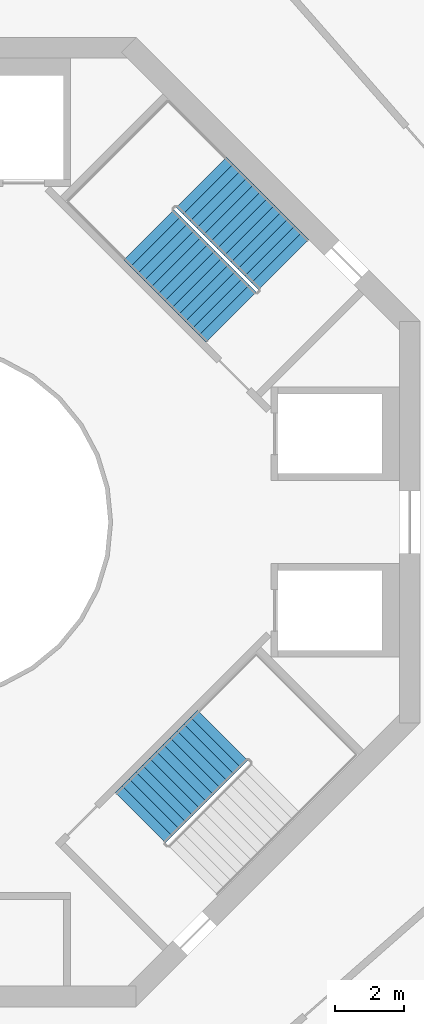
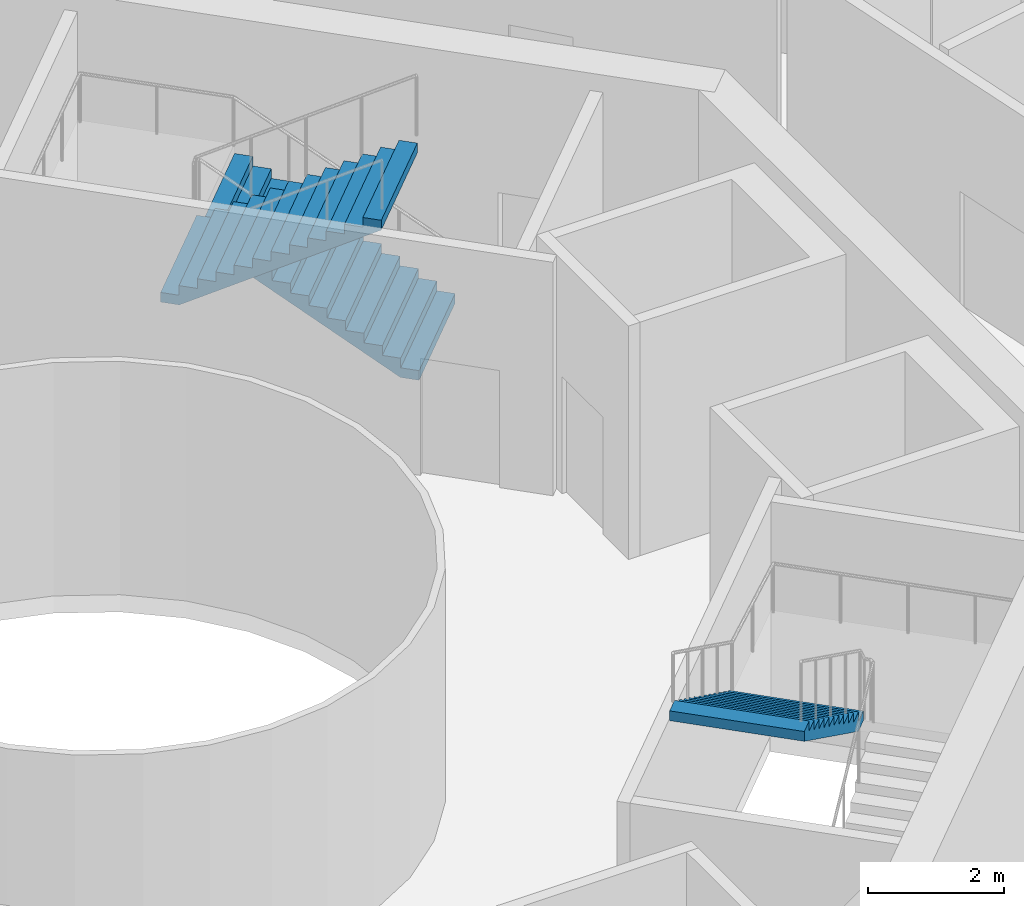
# One storey, part 16 of 17: 3 stair flights, 2 elements without a shape of their own.
"""IFC4 building model written with IfcOpenShell, lengths in metres."""

from ifc_helpers import new_model, si_unit, direction, frame, origin, place, context, subcontext, project, spatial, triangles, material, type_object, element, aggregate, save


model = new_model("IFC4")

# Units and contexts
model_context = context("Model", 3, precision=1e-05, world=origin(), true_north=direction((0.0, 1.0)))
body_context = subcontext(model_context, "Body", "Model", "MODEL_VIEW")
ifc_project = project(units=[si_unit("LENGTHUNIT", "METRE"), si_unit("AREAUNIT", "SQUARE_METRE"), si_unit("VOLUMEUNIT", "CUBIC_METRE"), si_unit("PLANEANGLEUNIT", "RADIAN"), si_unit("MASSUNIT", "GRAM", prefix="KILO")], contexts=[model_context])

# Site, building, storey
site_placement = place(None, origin())
site = spatial("IfcSite", under=ifc_project, at=site_placement, CompositionType="ELEMENT")
building_placement = place(site_placement, origin())
building = spatial("IfcBuilding", under=site, at=building_placement, Name="Verdalira Terraces Hotel", CompositionType="ELEMENT")
storey_placement = place(building_placement, frame((0.0, 0.0, 201.0)))
storey = spatial("IfcBuildingStorey", under=building, at=storey_placement, Name="L49", CompositionType="ELEMENT", Elevation=201.0)

# Stair, stair flights
ifc_material_1 = material(Name="Concrete C40", Category="concrete")
stair_type = type_object("IfcStairType", Name="Core stair 26 risers 2050 mm wide", PredefinedType="HALF_TURN_STAIR", material=ifc_material_1)
stair_1_placement = place(storey_placement, origin())
stair_1 = element("IfcStair", 1, at=stair_1_placement, inside=storey, type_object=stair_type, Name="L49 Exit stair ST1", PredefinedType="HALF_TURN_STAIR")
ifc_material_2 = material(Name="Concrete C40", Category="concrete")
stair_flight_type = type_object("IfcStairFlightType", Name="Core stair flight 26 risers 2050 mm wide", PredefinedType="STRAIGHT", material=ifc_material_2)
stair_flight_1_placement = place(storey_placement, frame((10.058594, 7.442383, 0.0), z_axis=(0.0, 0.0, 1.0), x_axis=(-0.707106781, 0.707106781, 0.0)))
stair_flight_1 = element("IfcStairFlight", 2, at=stair_flight_1_placement, type_object=stair_flight_type, Name="ST1 flight 1", NumberOfRisers=13, NumberOfTreads=12, PredefinedType="STRAIGHT", RiserHeight=0.173076923, TreadLength=0.28, context=body_context, shape_type="Tessellation", body=[
    triangles([(0.0, 1.025024, 0.0), (0.285156, 1.025024, 0.0), (3.360107, 1.025024, 1.900635), (0.0, -1.025024, 0.0), (0.285156, -1.025024, 0.0), (3.360107, -1.025024, 1.900635), (3.360107, 1.025024, 2.076904), (3.080078, 1.025024, 2.076904), (3.360107, -1.025024, 2.076904), (3.080078, -1.025024, 2.076904), (3.080078, 1.025024, 1.903809), (3.080078, -1.025024, 1.903809), (2.800049, 1.025024, 1.903809), (2.800049, -1.025024, 1.903809), (2.800049, 1.025024, 1.730713), (2.800049, -1.025024, 1.730713), (2.52002, 1.025024, 1.730713), (2.52002, 1.025024, 1.557617), (2.52002, -1.025024, 1.730713), (2.52002, -1.025024, 1.557617), (2.23999, 1.025024, 1.557617), (2.23999, 1.025024, 1.384521), (2.23999, -1.025024, 1.557617), (2.23999, -1.025024, 1.384521), (1.959961, 1.025024, 1.384521), (1.959961, 1.025024, 1.211426), (1.959961, -1.025024, 1.384521), (1.959961, -1.025024, 1.211426), (1.679932, 1.025024, 1.211426), (1.679932, 1.025024, 1.038574), (1.679932, -1.025024, 1.211426), (1.679932, -1.025024, 1.038574), (1.399902, 1.025024, 1.038574), (1.399902, 1.025024, 0.865479), (1.399902, -1.025024, 1.038574), (1.399902, -1.025024, 0.865479), (1.120117, 1.025024, 0.865479), (1.120117, 1.025024, 0.692383), (1.120117, -1.025024, 0.865479), (1.120117, -1.025024, 0.692383), (0.840088, 1.025024, 0.692383), (0.840088, 1.025024, 0.519287), (0.840088, -1.025024, 0.692383), (0.840088, -1.025024, 0.519287), (0.560059, 1.025024, 0.519287), (0.560059, 1.025024, 0.346191), (0.560059, -1.025024, 0.519287), (0.560059, -1.025024, 0.346191), (0.280029, 1.025024, 0.346191), (0.280029, 1.025024, 0.173096), (0.280029, -1.025024, 0.346191), (0.280029, -1.025024, 0.173096), (0.0, 1.025024, 0.173096), (0.0, -1.025024, 0.173096), (0.0, -0.96096, 0.0), (0.0, -0.96096, 0.173096), (0.0, -0.896896, 0.0), (0.0, -0.896896, 0.173096), (0.0, -0.832832, 0.0), (0.0, -0.832832, 0.173096), (0.0, -0.768768, 0.0), (0.0, -0.768768, 0.173096), (0.0, -0.704704, 0.0), (0.0, -0.704704, 0.173096), (0.0, -0.64064, 0.0), (0.0, -0.64064, 0.173096), (0.0, -0.576576, 0.0), (0.0, -0.576576, 0.173096), (0.0, -0.512512, 0.0), (0.0, -0.512512, 0.173096), (0.0, -0.448448, 0.0), (0.0, -0.448448, 0.173096), (0.0, -0.384384, 0.0), (0.0, -0.384384, 0.173096), (0.0, -0.32032, 0.0), (0.0, -0.32032, 0.173096), (0.0, -0.256256, 0.0), (0.0, -0.256256, 0.173096), (0.0, -0.192192, 0.0), (0.0, -0.192192, 0.173096), (0.0, -0.128128, 0.0), (0.0, -0.128128, 0.173096), (0.0, -0.064064, 0.0), (0.0, -0.064064, 0.173096), (0.0, 0.0, 0.0), (0.0, 0.0, 0.173096), (0.0, 0.064064, 0.0), (0.0, 0.064064, 0.173096), (0.0, 0.128128, 0.0), (0.0, 0.128128, 0.173096), (0.0, 0.192192, 0.0), (0.0, 0.192192, 0.173096), (0.0, 0.256256, 0.0), (0.0, 0.256256, 0.173096), (0.0, 0.32032, 0.0), (0.0, 0.32032, 0.173096), (0.0, 0.384384, 0.0), (0.0, 0.384384, 0.173096), (0.0, 0.448448, 0.0), (0.0, 0.448448, 0.173096), (0.0, 0.512512, 0.0), (0.0, 0.512512, 0.173096), (0.0, 0.576576, 0.0), (0.0, 0.576576, 0.173096), (0.0, 0.64064, 0.0), (0.0, 0.64064, 0.173096), (0.0, 0.704704, 0.0), (0.0, 0.704704, 0.173096), (0.0, 0.768768, 0.0), (0.0, 0.768768, 0.173096), (0.0, 0.832832, 0.0), (0.0, 0.832832, 0.173096), (0.0, 0.896896, 0.0), (0.0, 0.896896, 0.173096), (0.0, 0.96096, 0.0), (0.0, 0.96096, 0.173096), (3.360107, -0.96096, 2.076904), (3.360107, -0.896896, 2.076904), (3.360107, -0.832832, 2.076904), (3.360107, -0.768768, 2.076904), (3.360107, -0.704704, 2.076904), (3.360107, -0.64064, 2.076904), (3.360107, -0.576576, 2.076904), (3.360107, -0.512512, 2.076904), (3.360107, -0.448448, 2.076904), (3.360107, -0.384384, 2.076904), (3.360107, -0.32032, 2.076904), (3.360107, -0.256256, 2.076904), (3.360107, -0.192192, 2.076904), (3.360107, -0.128128, 2.076904), (3.360107, -0.064064, 2.076904), (3.360107, 0.0, 2.076904), (3.360107, 0.064064, 2.076904), (3.360107, 0.128128, 2.076904), (3.360107, 0.192192, 2.076904), (3.360107, 0.256256, 2.076904), (3.360107, 0.32032, 2.076904), (3.360107, 0.384384, 2.076904), (3.360107, 0.448448, 2.076904), (3.360107, 0.512512, 2.076904), (3.360107, 0.576576, 2.076904), (3.360107, 0.64064, 2.076904), (3.360107, 0.704704, 2.076904), (3.360107, 0.768768, 2.076904), (3.360107, 0.832832, 2.076904), (3.360107, 0.896896, 2.076904), (3.360107, 0.96096, 2.076904), (3.360107, -0.96096, 1.900635), (3.360107, -0.896896, 1.900635), (3.360107, -0.832832, 1.900635), (3.360107, -0.768768, 1.900635), (3.360107, -0.704704, 1.900635), (3.360107, -0.64064, 1.900635), (3.360107, -0.576576, 1.900635), (3.360107, -0.512512, 1.900635), (3.360107, -0.448448, 1.900635), (3.360107, -0.384384, 1.900635), (3.360107, -0.32032, 1.900635), (3.360107, -0.256256, 1.900635), (3.360107, -0.192192, 1.900635), (3.360107, -0.128128, 1.900635), (3.360107, -0.064064, 1.900635), (3.360107, 0.0, 1.900635), (3.360107, 0.064064, 1.900635), (3.360107, 0.128128, 1.900635), (3.360107, 0.192192, 1.900635), (3.360107, 0.256256, 1.900635), (3.360107, 0.32032, 1.900635), (3.360107, 0.384384, 1.900635), (3.360107, 0.448448, 1.900635), (3.360107, 0.512512, 1.900635), (3.360107, 0.576576, 1.900635), (3.360107, 0.64064, 1.900635), (3.360107, 0.704704, 1.900635), (3.360107, 0.768768, 1.900635), (3.360107, 0.832832, 1.900635), (3.360107, 0.896896, 1.900635), (3.360107, 0.96096, 1.900635)], [[1, 3, 2], [4, 5, 6], [3, 8, 7], [6, 9, 10], [3, 11, 8], [6, 10, 12], [3, 13, 11], [6, 12, 14], [3, 15, 13], [6, 14, 16], [15, 18, 17], [16, 19, 20], [3, 18, 15], [6, 16, 20], [18, 22, 21], [20, 23, 24], [3, 22, 18], [6, 20, 24], [22, 26, 25], [24, 27, 28], [3, 26, 22], [6, 24, 28], [1, 26, 3], [4, 6, 28], [26, 30, 29], [28, 31, 32], [30, 34, 33], [32, 35, 36], [26, 34, 30], [28, 32, 36], [34, 38, 37], [36, 39, 40], [26, 38, 34], [28, 36, 40], [38, 42, 41], [40, 43, 44], [26, 42, 38], [28, 40, 44], [42, 46, 45], [44, 47, 48], [26, 46, 42], [28, 44, 48], [46, 50, 49], [48, 51, 52], [26, 50, 46], [28, 48, 52], [1, 50, 26], [4, 28, 52], [50, 1, 53], [52, 54, 4], [4, 56, 55], [4, 54, 56], [55, 58, 57], [55, 56, 58], [57, 60, 59], [57, 58, 60], [59, 62, 61], [59, 60, 62], [61, 64, 63], [61, 62, 64], [63, 66, 65], [63, 64, 66], [65, 68, 67], [65, 66, 68], [67, 70, 69], [67, 68, 70], [69, 72, 71], [69, 70, 72], [71, 74, 73], [71, 72, 74], [73, 76, 75], [73, 74, 76], [75, 78, 77], [75, 76, 78], [77, 80, 79], [77, 78, 80], [79, 82, 81], [79, 80, 82], [81, 84, 83], [81, 82, 84], [83, 86, 85], [83, 84, 86], [85, 88, 87], [85, 86, 88], [87, 90, 89], [87, 88, 90], [89, 92, 91], [89, 90, 92], [91, 94, 93], [91, 92, 94], [93, 96, 95], [93, 94, 96], [95, 98, 97], [95, 96, 98], [97, 100, 99], [97, 98, 100], [99, 102, 101], [99, 100, 102], [101, 104, 103], [101, 102, 104], [103, 106, 105], [103, 104, 106], [105, 108, 107], [105, 106, 108], [107, 110, 109], [107, 108, 110], [109, 112, 111], [109, 110, 112], [111, 114, 113], [111, 112, 114], [113, 116, 115], [113, 114, 116], [115, 53, 1], [115, 116, 53], [54, 52, 56], [56, 52, 58], [58, 52, 60], [60, 52, 62], [62, 52, 64], [64, 52, 66], [66, 52, 68], [68, 52, 70], [70, 52, 72], [72, 52, 74], [74, 52, 76], [76, 52, 78], [78, 52, 80], [80, 52, 82], [82, 52, 84], [84, 52, 86], [86, 52, 88], [88, 52, 90], [90, 52, 92], [92, 52, 94], [94, 52, 96], [96, 52, 98], [98, 52, 100], [100, 52, 102], [102, 52, 104], [104, 52, 106], [106, 52, 108], [108, 52, 110], [110, 52, 112], [112, 52, 114], [114, 52, 116], [116, 52, 53], [53, 52, 50], [52, 49, 50], [52, 51, 49], [51, 46, 49], [51, 48, 46], [48, 45, 46], [48, 47, 45], [47, 42, 45], [47, 44, 42], [44, 41, 42], [44, 43, 41], [43, 38, 41], [43, 40, 38], [40, 37, 38], [40, 39, 37], [39, 34, 37], [39, 36, 34], [36, 33, 34], [36, 35, 33], [35, 30, 33], [35, 32, 30], [32, 29, 30], [32, 31, 29], [31, 26, 29], [31, 28, 26], [28, 25, 26], [28, 27, 25], [27, 22, 25], [27, 24, 22], [24, 21, 22], [24, 23, 21], [23, 18, 21], [23, 20, 18], [20, 17, 18], [20, 19, 17], [19, 15, 17], [19, 16, 15], [16, 13, 15], [16, 14, 13], [14, 11, 13], [14, 12, 11], [12, 8, 11], [12, 10, 8], [9, 117, 10], [117, 118, 10], [118, 119, 10], [119, 120, 10], [120, 121, 10], [121, 122, 10], [122, 123, 10], [123, 124, 10], [124, 125, 10], [125, 126, 10], [126, 127, 10], [127, 128, 10], [128, 129, 10], [129, 130, 10], [130, 131, 10], [131, 132, 10], [132, 133, 10], [133, 134, 10], [134, 135, 10], [135, 136, 10], [136, 137, 10], [137, 138, 10], [138, 139, 10], [139, 140, 10], [140, 141, 10], [141, 142, 10], [142, 143, 10], [143, 144, 10], [144, 145, 10], [145, 146, 10], [146, 147, 10], [147, 7, 10], [7, 8, 10], [9, 148, 117], [9, 6, 148], [117, 149, 118], [117, 148, 149], [118, 150, 119], [118, 149, 150], [119, 151, 120], [119, 150, 151], [120, 152, 121], [120, 151, 152], [121, 153, 122], [121, 152, 153], [122, 154, 123], [122, 153, 154], [123, 155, 124], [123, 154, 155], [124, 156, 125], [124, 155, 156], [125, 157, 126], [125, 156, 157], [126, 158, 127], [126, 157, 158], [127, 159, 128], [127, 158, 159], [128, 160, 129], [128, 159, 160], [129, 161, 130], [129, 160, 161], [130, 162, 131], [130, 161, 162], [131, 163, 132], [131, 162, 163], [132, 164, 133], [132, 163, 164], [133, 165, 134], [133, 164, 165], [134, 166, 135], [134, 165, 166], [135, 167, 136], [135, 166, 167], [136, 168, 137], [136, 167, 168], [137, 169, 138], [137, 168, 169], [138, 170, 139], [138, 169, 170], [139, 171, 140], [139, 170, 171], [140, 172, 141], [140, 171, 172], [141, 173, 142], [141, 172, 173], [142, 174, 143], [142, 173, 174], [143, 175, 144], [143, 174, 175], [144, 176, 145], [144, 175, 176], [145, 177, 146], [145, 176, 177], [146, 178, 147], [146, 177, 178], [147, 3, 7], [147, 178, 3], [6, 5, 148], [148, 5, 149], [149, 5, 150], [150, 5, 151], [151, 5, 152], [152, 5, 153], [153, 5, 154], [154, 5, 155], [155, 5, 156], [156, 5, 157], [157, 5, 158], [158, 5, 159], [159, 5, 160], [160, 5, 161], [161, 5, 162], [162, 5, 163], [163, 5, 164], [164, 5, 165], [165, 5, 166], [166, 5, 167], [167, 5, 168], [168, 5, 169], [169, 5, 170], [170, 5, 171], [171, 5, 172], [172, 5, 173], [173, 5, 174], [174, 5, 175], [175, 5, 176], [176, 5, 177], [177, 5, 178], [178, 5, 3], [3, 5, 2], [4, 55, 5], [55, 57, 5], [57, 59, 5], [59, 61, 5], [61, 63, 5], [63, 65, 5], [65, 67, 5], [67, 69, 5], [69, 71, 5], [71, 73, 5], [73, 75, 5], [75, 77, 5], [77, 79, 5], [79, 81, 5], [81, 83, 5], [83, 85, 5], [85, 87, 5], [87, 89, 5], [89, 91, 5], [91, 93, 5], [93, 95, 5], [95, 97, 5], [97, 99, 5], [99, 101, 5], [101, 103, 5], [103, 105, 5], [105, 107, 5], [107, 109, 5], [109, 111, 5], [111, 113, 5], [113, 115, 5], [115, 1, 5], [1, 2, 5]], closed=True),
])
stair_flight_2_placement = place(storey_placement, frame((6.162354, 8.297852, 2.25), z_axis=(0.0, 0.0, 1.0), x_axis=(0.707106781, -0.707106781, 0.0)))
stair_flight_2 = element("IfcStairFlight", 3, at=stair_flight_2_placement, type_object=stair_flight_type, Name="ST1 flight 2", NumberOfRisers=13, NumberOfTreads=12, PredefinedType="STRAIGHT", RiserHeight=0.173076923, TreadLength=0.28, context=body_context, shape_type="Tessellation", body=[
    triangles([(0.0, 1.025024, 0.0), (0.285156, 1.025024, 0.0), (3.360107, 1.025024, 1.900635), (0.0, -1.025024, 0.0), (0.285156, -1.025024, 0.0), (3.360107, -1.025024, 1.900635), (3.360107, 1.025024, 2.076904), (3.080078, 1.025024, 2.076904), (3.360107, -1.025024, 2.076904), (3.080078, -1.025024, 2.076904), (3.080078, 1.025024, 1.903809), (3.080078, -1.025024, 1.903809), (2.800049, 1.025024, 1.903809), (2.800049, -1.025024, 1.903809), (2.800049, 1.025024, 1.730713), (2.800049, -1.025024, 1.730713), (2.52002, 1.025024, 1.730713), (2.52002, 1.025024, 1.557617), (2.52002, -1.025024, 1.730713), (2.52002, -1.025024, 1.557617), (2.23999, 1.025024, 1.557617), (2.23999, 1.025024, 1.384521), (2.23999, -1.025024, 1.557617), (2.23999, -1.025024, 1.384521), (1.959961, 1.025024, 1.384521), (1.959961, 1.025024, 1.211426), (1.959961, -1.025024, 1.384521), (1.959961, -1.025024, 1.211426), (1.679932, 1.025024, 1.211426), (1.679932, 1.025024, 1.038574), (1.679932, -1.025024, 1.211426), (1.679932, -1.025024, 1.038574), (1.399902, 1.025024, 1.038574), (1.399902, 1.025024, 0.865479), (1.399902, -1.025024, 1.038574), (1.399902, -1.025024, 0.865479), (1.120117, 1.025024, 0.865479), (1.120117, 1.025024, 0.692383), (1.120117, -1.025024, 0.865479), (1.120117, -1.025024, 0.692383), (0.840088, 1.025024, 0.692383), (0.840088, 1.025024, 0.519287), (0.840088, -1.025024, 0.692383), (0.840088, -1.025024, 0.519287), (0.560059, 1.025024, 0.519287), (0.560059, 1.025024, 0.346191), (0.560059, -1.025024, 0.519287), (0.560059, -1.025024, 0.346191), (0.280029, 1.025024, 0.346191), (0.280029, 1.025024, 0.173096), (0.280029, -1.025024, 0.346191), (0.280029, -1.025024, 0.173096), (0.0, 1.025024, 0.173096), (0.0, -1.025024, 0.173096), (0.0, -0.96096, 0.0), (0.0, -0.96096, 0.173096), (0.0, -0.896896, 0.0), (0.0, -0.896896, 0.173096), (0.0, -0.832832, 0.0), (0.0, -0.832832, 0.173096), (0.0, -0.768768, 0.0), (0.0, -0.768768, 0.173096), (0.0, -0.704704, 0.0), (0.0, -0.704704, 0.173096), (0.0, -0.64064, 0.0), (0.0, -0.64064, 0.173096), (0.0, -0.576576, 0.0), (0.0, -0.576576, 0.173096), (0.0, -0.512512, 0.0), (0.0, -0.512512, 0.173096), (0.0, -0.448448, 0.0), (0.0, -0.448448, 0.173096), (0.0, -0.384384, 0.0), (0.0, -0.384384, 0.173096), (0.0, -0.32032, 0.0), (0.0, -0.32032, 0.173096), (0.0, -0.256256, 0.0), (0.0, -0.256256, 0.173096), (0.0, -0.192192, 0.0), (0.0, -0.192192, 0.173096), (0.0, -0.128128, 0.0), (0.0, -0.128128, 0.173096), (0.0, -0.064064, 0.0), (0.0, -0.064064, 0.173096), (0.0, 0.0, 0.0), (0.0, 0.0, 0.173096), (0.0, 0.064064, 0.0), (0.0, 0.064064, 0.173096), (0.0, 0.128128, 0.0), (0.0, 0.128128, 0.173096), (0.0, 0.192192, 0.0), (0.0, 0.192192, 0.173096), (0.0, 0.256256, 0.0), (0.0, 0.256256, 0.173096), (0.0, 0.32032, 0.0), (0.0, 0.32032, 0.173096), (0.0, 0.384384, 0.0), (0.0, 0.384384, 0.173096), (0.0, 0.448448, 0.0), (0.0, 0.448448, 0.173096), (0.0, 0.512512, 0.0), (0.0, 0.512512, 0.173096), (0.0, 0.576576, 0.0), (0.0, 0.576576, 0.173096), (0.0, 0.64064, 0.0), (0.0, 0.64064, 0.173096), (0.0, 0.704704, 0.0), (0.0, 0.704704, 0.173096), (0.0, 0.768768, 0.0), (0.0, 0.768768, 0.173096), (0.0, 0.832832, 0.0), (0.0, 0.832832, 0.173096), (0.0, 0.896896, 0.0), (0.0, 0.896896, 0.173096), (0.0, 0.96096, 0.0), (0.0, 0.96096, 0.173096), (3.360107, -0.96096, 2.076904), (3.360107, -0.896896, 2.076904), (3.360107, -0.832832, 2.076904), (3.360107, -0.768768, 2.076904), (3.360107, -0.704704, 2.076904), (3.360107, -0.64064, 2.076904), (3.360107, -0.576576, 2.076904), (3.360107, -0.512512, 2.076904), (3.360107, -0.448448, 2.076904), (3.360107, -0.384384, 2.076904), (3.360107, -0.32032, 2.076904), (3.360107, -0.256256, 2.076904), (3.360107, -0.192192, 2.076904), (3.360107, -0.128128, 2.076904), (3.360107, -0.064064, 2.076904), (3.360107, 0.0, 2.076904), (3.360107, 0.064064, 2.076904), (3.360107, 0.128128, 2.076904), (3.360107, 0.192192, 2.076904), (3.360107, 0.256256, 2.076904), (3.360107, 0.32032, 2.076904), (3.360107, 0.384384, 2.076904), (3.360107, 0.448448, 2.076904), (3.360107, 0.512512, 2.076904), (3.360107, 0.576576, 2.076904), (3.360107, 0.64064, 2.076904), (3.360107, 0.704704, 2.076904), (3.360107, 0.768768, 2.076904), (3.360107, 0.832832, 2.076904), (3.360107, 0.896896, 2.076904), (3.360107, 0.96096, 2.076904), (3.360107, -0.96096, 1.900635), (3.360107, -0.896896, 1.900635), (3.360107, -0.832832, 1.900635), (3.360107, -0.768768, 1.900635), (3.360107, -0.704704, 1.900635), (3.360107, -0.64064, 1.900635), (3.360107, -0.576576, 1.900635), (3.360107, -0.512512, 1.900635), (3.360107, -0.448448, 1.900635), (3.360107, -0.384384, 1.900635), (3.360107, -0.32032, 1.900635), (3.360107, -0.256256, 1.900635), (3.360107, -0.192192, 1.900635), (3.360107, -0.128128, 1.900635), (3.360107, -0.064064, 1.900635), (3.360107, 0.0, 1.900635), (3.360107, 0.064064, 1.900635), (3.360107, 0.128128, 1.900635), (3.360107, 0.192192, 1.900635), (3.360107, 0.256256, 1.900635), (3.360107, 0.32032, 1.900635), (3.360107, 0.384384, 1.900635), (3.360107, 0.448448, 1.900635), (3.360107, 0.512512, 1.900635), (3.360107, 0.576576, 1.900635), (3.360107, 0.64064, 1.900635), (3.360107, 0.704704, 1.900635), (3.360107, 0.768768, 1.900635), (3.360107, 0.832832, 1.900635), (3.360107, 0.896896, 1.900635), (3.360107, 0.96096, 1.900635)], [[1, 3, 2], [4, 5, 6], [3, 8, 7], [6, 9, 10], [3, 11, 8], [6, 10, 12], [3, 13, 11], [6, 12, 14], [3, 15, 13], [6, 14, 16], [15, 18, 17], [16, 19, 20], [3, 18, 15], [6, 16, 20], [18, 22, 21], [20, 23, 24], [3, 22, 18], [6, 20, 24], [22, 26, 25], [24, 27, 28], [3, 26, 22], [6, 24, 28], [1, 26, 3], [4, 6, 28], [26, 30, 29], [28, 31, 32], [30, 34, 33], [32, 35, 36], [26, 34, 30], [28, 32, 36], [34, 38, 37], [36, 39, 40], [26, 38, 34], [28, 36, 40], [38, 42, 41], [40, 43, 44], [26, 42, 38], [28, 40, 44], [42, 46, 45], [44, 47, 48], [26, 46, 42], [28, 44, 48], [46, 50, 49], [48, 51, 52], [26, 50, 46], [28, 48, 52], [1, 50, 26], [4, 28, 52], [50, 1, 53], [52, 54, 4], [4, 56, 55], [4, 54, 56], [55, 58, 57], [55, 56, 58], [57, 60, 59], [57, 58, 60], [59, 62, 61], [59, 60, 62], [61, 64, 63], [61, 62, 64], [63, 66, 65], [63, 64, 66], [65, 68, 67], [65, 66, 68], [67, 70, 69], [67, 68, 70], [69, 72, 71], [69, 70, 72], [71, 74, 73], [71, 72, 74], [73, 76, 75], [73, 74, 76], [75, 78, 77], [75, 76, 78], [77, 80, 79], [77, 78, 80], [79, 82, 81], [79, 80, 82], [81, 84, 83], [81, 82, 84], [83, 86, 85], [83, 84, 86], [85, 88, 87], [85, 86, 88], [87, 90, 89], [87, 88, 90], [89, 92, 91], [89, 90, 92], [91, 94, 93], [91, 92, 94], [93, 96, 95], [93, 94, 96], [95, 98, 97], [95, 96, 98], [97, 100, 99], [97, 98, 100], [99, 102, 101], [99, 100, 102], [101, 104, 103], [101, 102, 104], [103, 106, 105], [103, 104, 106], [105, 108, 107], [105, 106, 108], [107, 110, 109], [107, 108, 110], [109, 112, 111], [109, 110, 112], [111, 114, 113], [111, 112, 114], [113, 116, 115], [113, 114, 116], [115, 53, 1], [115, 116, 53], [54, 52, 56], [56, 52, 58], [58, 52, 60], [60, 52, 62], [62, 52, 64], [64, 52, 66], [66, 52, 68], [68, 52, 70], [70, 52, 72], [72, 52, 74], [74, 52, 76], [76, 52, 78], [78, 52, 80], [80, 52, 82], [82, 52, 84], [84, 52, 86], [86, 52, 88], [88, 52, 90], [90, 52, 92], [92, 52, 94], [94, 52, 96], [96, 52, 98], [98, 52, 100], [100, 52, 102], [102, 52, 104], [104, 52, 106], [106, 52, 108], [108, 52, 110], [110, 52, 112], [112, 52, 114], [114, 52, 116], [116, 52, 53], [53, 52, 50], [52, 49, 50], [52, 51, 49], [51, 46, 49], [51, 48, 46], [48, 45, 46], [48, 47, 45], [47, 42, 45], [47, 44, 42], [44, 41, 42], [44, 43, 41], [43, 38, 41], [43, 40, 38], [40, 37, 38], [40, 39, 37], [39, 34, 37], [39, 36, 34], [36, 33, 34], [36, 35, 33], [35, 30, 33], [35, 32, 30], [32, 29, 30], [32, 31, 29], [31, 26, 29], [31, 28, 26], [28, 25, 26], [28, 27, 25], [27, 22, 25], [27, 24, 22], [24, 21, 22], [24, 23, 21], [23, 18, 21], [23, 20, 18], [20, 17, 18], [20, 19, 17], [19, 15, 17], [19, 16, 15], [16, 13, 15], [16, 14, 13], [14, 11, 13], [14, 12, 11], [12, 8, 11], [12, 10, 8], [9, 117, 10], [117, 118, 10], [118, 119, 10], [119, 120, 10], [120, 121, 10], [121, 122, 10], [122, 123, 10], [123, 124, 10], [124, 125, 10], [125, 126, 10], [126, 127, 10], [127, 128, 10], [128, 129, 10], [129, 130, 10], [130, 131, 10], [131, 132, 10], [132, 133, 10], [133, 134, 10], [134, 135, 10], [135, 136, 10], [136, 137, 10], [137, 138, 10], [138, 139, 10], [139, 140, 10], [140, 141, 10], [141, 142, 10], [142, 143, 10], [143, 144, 10], [144, 145, 10], [145, 146, 10], [146, 147, 10], [147, 7, 10], [7, 8, 10], [9, 148, 117], [9, 6, 148], [117, 149, 118], [117, 148, 149], [118, 150, 119], [118, 149, 150], [119, 151, 120], [119, 150, 151], [120, 152, 121], [120, 151, 152], [121, 153, 122], [121, 152, 153], [122, 154, 123], [122, 153, 154], [123, 155, 124], [123, 154, 155], [124, 156, 125], [124, 155, 156], [125, 157, 126], [125, 156, 157], [126, 158, 127], [126, 157, 158], [127, 159, 128], [127, 158, 159], [128, 160, 129], [128, 159, 160], [129, 161, 130], [129, 160, 161], [130, 162, 131], [130, 161, 162], [131, 163, 132], [131, 162, 163], [132, 164, 133], [132, 163, 164], [133, 165, 134], [133, 164, 165], [134, 166, 135], [134, 165, 166], [135, 167, 136], [135, 166, 167], [136, 168, 137], [136, 167, 168], [137, 169, 138], [137, 168, 169], [138, 170, 139], [138, 169, 170], [139, 171, 140], [139, 170, 171], [140, 172, 141], [140, 171, 172], [141, 173, 142], [141, 172, 173], [142, 174, 143], [142, 173, 174], [143, 175, 144], [143, 174, 175], [144, 176, 145], [144, 175, 176], [145, 177, 146], [145, 176, 177], [146, 178, 147], [146, 177, 178], [147, 3, 7], [147, 178, 3], [6, 5, 148], [148, 5, 149], [149, 5, 150], [150, 5, 151], [151, 5, 152], [152, 5, 153], [153, 5, 154], [154, 5, 155], [155, 5, 156], [156, 5, 157], [157, 5, 158], [158, 5, 159], [159, 5, 160], [160, 5, 161], [161, 5, 162], [162, 5, 163], [163, 5, 164], [164, 5, 165], [165, 5, 166], [166, 5, 167], [167, 5, 168], [168, 5, 169], [169, 5, 170], [170, 5, 171], [171, 5, 172], [172, 5, 173], [173, 5, 174], [174, 5, 175], [175, 5, 176], [176, 5, 177], [177, 5, 178], [178, 5, 3], [3, 5, 2], [4, 55, 5], [55, 57, 5], [57, 59, 5], [59, 61, 5], [61, 63, 5], [63, 65, 5], [65, 67, 5], [67, 69, 5], [69, 71, 5], [71, 73, 5], [73, 75, 5], [75, 77, 5], [77, 79, 5], [79, 81, 5], [81, 83, 5], [83, 85, 5], [85, 87, 5], [87, 89, 5], [89, 91, 5], [91, 93, 5], [93, 95, 5], [95, 97, 5], [97, 99, 5], [99, 101, 5], [101, 103, 5], [103, 105, 5], [105, 107, 5], [107, 109, 5], [109, 111, 5], [111, 113, 5], [113, 115, 5], [115, 1, 5], [1, 2, 5]], closed=True),
])
aggregate(stair_1, [stair_flight_1, stair_flight_2])

# Stair, stair flight
stair_2_placement = place(storey_placement, origin())
stair_2 = element("IfcStair", 4, at=stair_2_placement, inside=storey, type_object=stair_type, Name="L49 Exit stair ST3", PredefinedType="HALF_TURN_STAIR")
stair_flight_3_placement = place(storey_placement, frame((8.297852, -6.162354, 2.25), z_axis=(0.0, 0.0, 1.0), x_axis=(-0.707106781, -0.707106781, 0.0)))
stair_flight_3 = element("IfcStairFlight", 5, at=stair_flight_3_placement, type_object=stair_flight_type, Name="ST3 flight 2", NumberOfRisers=13, NumberOfTreads=12, PredefinedType="STRAIGHT", RiserHeight=0.173076923, TreadLength=0.28, context=body_context, shape_type="Tessellation", body=[
    triangles([(0.0, 1.025024, 0.0), (0.285156, 1.025024, 0.0), (3.360107, 1.025024, 1.900635), (0.0, -1.025024, 0.0), (0.285156, -1.025024, 0.0), (3.360107, -1.025024, 1.900635), (3.360107, 1.025024, 2.076904), (3.080078, 1.025024, 2.076904), (3.360107, -1.025024, 2.076904), (3.080078, -1.025024, 2.076904), (3.080078, 1.025024, 1.903809), (3.080078, -1.025024, 1.903809), (2.800049, 1.025024, 1.903809), (2.800049, -1.025024, 1.903809), (2.800049, 1.025024, 1.730713), (2.800049, -1.025024, 1.730713), (2.52002, 1.025024, 1.730713), (2.52002, 1.025024, 1.557617), (2.52002, -1.025024, 1.730713), (2.52002, -1.025024, 1.557617), (2.23999, 1.025024, 1.557617), (2.23999, 1.025024, 1.384521), (2.23999, -1.025024, 1.557617), (2.23999, -1.025024, 1.384521), (1.959961, 1.025024, 1.384521), (1.959961, 1.025024, 1.211426), (1.959961, -1.025024, 1.384521), (1.959961, -1.025024, 1.211426), (1.679932, 1.025024, 1.211426), (1.679932, 1.025024, 1.038574), (1.679932, -1.025024, 1.211426), (1.679932, -1.025024, 1.038574), (1.399902, 1.025024, 1.038574), (1.399902, 1.025024, 0.865479), (1.399902, -1.025024, 1.038574), (1.399902, -1.025024, 0.865479), (1.120117, 1.025024, 0.865479), (1.120117, 1.025024, 0.692383), (1.120117, -1.025024, 0.865479), (1.120117, -1.025024, 0.692383), (0.840088, 1.025024, 0.692383), (0.840088, 1.025024, 0.519287), (0.840088, -1.025024, 0.692383), (0.840088, -1.025024, 0.519287), (0.560059, 1.025024, 0.519287), (0.560059, 1.025024, 0.346191), (0.560059, -1.025024, 0.519287), (0.560059, -1.025024, 0.346191), (0.280029, 1.025024, 0.346191), (0.280029, 1.025024, 0.173096), (0.280029, -1.025024, 0.346191), (0.280029, -1.025024, 0.173096), (0.0, 1.025024, 0.173096), (0.0, -1.025024, 0.173096), (0.0, -0.96096, 0.0), (0.0, -0.96096, 0.173096), (0.0, -0.896896, 0.0), (0.0, -0.896896, 0.173096), (0.0, -0.832832, 0.0), (0.0, -0.832832, 0.173096), (0.0, -0.768768, 0.0), (0.0, -0.768768, 0.173096), (0.0, -0.704704, 0.0), (0.0, -0.704704, 0.173096), (0.0, -0.64064, 0.0), (0.0, -0.64064, 0.173096), (0.0, -0.576576, 0.0), (0.0, -0.576576, 0.173096), (0.0, -0.512512, 0.0), (0.0, -0.512512, 0.173096), (0.0, -0.448448, 0.0), (0.0, -0.448448, 0.173096), (0.0, -0.384384, 0.0), (0.0, -0.384384, 0.173096), (0.0, -0.32032, 0.0), (0.0, -0.32032, 0.173096), (0.0, -0.256256, 0.0), (0.0, -0.256256, 0.173096), (0.0, -0.192192, 0.0), (0.0, -0.192192, 0.173096), (0.0, -0.128128, 0.0), (0.0, -0.128128, 0.173096), (0.0, -0.064064, 0.0), (0.0, -0.064064, 0.173096), (0.0, 0.0, 0.0), (0.0, 0.0, 0.173096), (0.0, 0.064064, 0.0), (0.0, 0.064064, 0.173096), (0.0, 0.128128, 0.0), (0.0, 0.128128, 0.173096), (0.0, 0.192192, 0.0), (0.0, 0.192192, 0.173096), (0.0, 0.256256, 0.0), (0.0, 0.256256, 0.173096), (0.0, 0.32032, 0.0), (0.0, 0.32032, 0.173096), (0.0, 0.384384, 0.0), (0.0, 0.384384, 0.173096), (0.0, 0.448448, 0.0), (0.0, 0.448448, 0.173096), (0.0, 0.512512, 0.0), (0.0, 0.512512, 0.173096), (0.0, 0.576576, 0.0), (0.0, 0.576576, 0.173096), (0.0, 0.64064, 0.0), (0.0, 0.64064, 0.173096), (0.0, 0.704704, 0.0), (0.0, 0.704704, 0.173096), (0.0, 0.768768, 0.0), (0.0, 0.768768, 0.173096), (0.0, 0.832832, 0.0), (0.0, 0.832832, 0.173096), (0.0, 0.896896, 0.0), (0.0, 0.896896, 0.173096), (0.0, 0.96096, 0.0), (0.0, 0.96096, 0.173096), (3.360107, -0.96096, 2.076904), (3.360107, -0.896896, 2.076904), (3.360107, -0.832832, 2.076904), (3.360107, -0.768768, 2.076904), (3.360107, -0.704704, 2.076904), (3.360107, -0.64064, 2.076904), (3.360107, -0.576576, 2.076904), (3.360107, -0.512512, 2.076904), (3.360107, -0.448448, 2.076904), (3.360107, -0.384384, 2.076904), (3.360107, -0.32032, 2.076904), (3.360107, -0.256256, 2.076904), (3.360107, -0.192192, 2.076904), (3.360107, -0.128128, 2.076904), (3.360107, -0.064064, 2.076904), (3.360107, 0.0, 2.076904), (3.360107, 0.064064, 2.076904), (3.360107, 0.128128, 2.076904), (3.360107, 0.192192, 2.076904), (3.360107, 0.256256, 2.076904), (3.360107, 0.32032, 2.076904), (3.360107, 0.384384, 2.076904), (3.360107, 0.448448, 2.076904), (3.360107, 0.512512, 2.076904), (3.360107, 0.576576, 2.076904), (3.360107, 0.64064, 2.076904), (3.360107, 0.704704, 2.076904), (3.360107, 0.768768, 2.076904), (3.360107, 0.832832, 2.076904), (3.360107, 0.896896, 2.076904), (3.360107, 0.96096, 2.076904), (3.360107, -0.96096, 1.900635), (3.360107, -0.896896, 1.900635), (3.360107, -0.832832, 1.900635), (3.360107, -0.768768, 1.900635), (3.360107, -0.704704, 1.900635), (3.360107, -0.64064, 1.900635), (3.360107, -0.576576, 1.900635), (3.360107, -0.512512, 1.900635), (3.360107, -0.448448, 1.900635), (3.360107, -0.384384, 1.900635), (3.360107, -0.32032, 1.900635), (3.360107, -0.256256, 1.900635), (3.360107, -0.192192, 1.900635), (3.360107, -0.128128, 1.900635), (3.360107, -0.064064, 1.900635), (3.360107, 0.0, 1.900635), (3.360107, 0.064064, 1.900635), (3.360107, 0.128128, 1.900635), (3.360107, 0.192192, 1.900635), (3.360107, 0.256256, 1.900635), (3.360107, 0.32032, 1.900635), (3.360107, 0.384384, 1.900635), (3.360107, 0.448448, 1.900635), (3.360107, 0.512512, 1.900635), (3.360107, 0.576576, 1.900635), (3.360107, 0.64064, 1.900635), (3.360107, 0.704704, 1.900635), (3.360107, 0.768768, 1.900635), (3.360107, 0.832832, 1.900635), (3.360107, 0.896896, 1.900635), (3.360107, 0.96096, 1.900635)], [[1, 3, 2], [4, 5, 6], [3, 8, 7], [6, 9, 10], [3, 11, 8], [6, 10, 12], [3, 13, 11], [6, 12, 14], [3, 15, 13], [6, 14, 16], [15, 18, 17], [16, 19, 20], [3, 18, 15], [6, 16, 20], [18, 22, 21], [20, 23, 24], [3, 22, 18], [6, 20, 24], [22, 26, 25], [24, 27, 28], [3, 26, 22], [6, 24, 28], [1, 26, 3], [4, 6, 28], [26, 30, 29], [28, 31, 32], [30, 34, 33], [32, 35, 36], [26, 34, 30], [28, 32, 36], [34, 38, 37], [36, 39, 40], [26, 38, 34], [28, 36, 40], [38, 42, 41], [40, 43, 44], [26, 42, 38], [28, 40, 44], [42, 46, 45], [44, 47, 48], [26, 46, 42], [28, 44, 48], [46, 50, 49], [48, 51, 52], [26, 50, 46], [28, 48, 52], [1, 50, 26], [4, 28, 52], [50, 1, 53], [52, 54, 4], [4, 56, 55], [4, 54, 56], [55, 58, 57], [55, 56, 58], [57, 60, 59], [57, 58, 60], [59, 62, 61], [59, 60, 62], [61, 64, 63], [61, 62, 64], [63, 66, 65], [63, 64, 66], [65, 68, 67], [65, 66, 68], [67, 70, 69], [67, 68, 70], [69, 72, 71], [69, 70, 72], [71, 74, 73], [71, 72, 74], [73, 76, 75], [73, 74, 76], [75, 78, 77], [75, 76, 78], [77, 80, 79], [77, 78, 80], [79, 82, 81], [79, 80, 82], [81, 84, 83], [81, 82, 84], [83, 86, 85], [83, 84, 86], [85, 88, 87], [85, 86, 88], [87, 90, 89], [87, 88, 90], [89, 92, 91], [89, 90, 92], [91, 94, 93], [91, 92, 94], [93, 96, 95], [93, 94, 96], [95, 98, 97], [95, 96, 98], [97, 100, 99], [97, 98, 100], [99, 102, 101], [99, 100, 102], [101, 104, 103], [101, 102, 104], [103, 106, 105], [103, 104, 106], [105, 108, 107], [105, 106, 108], [107, 110, 109], [107, 108, 110], [109, 112, 111], [109, 110, 112], [111, 114, 113], [111, 112, 114], [113, 116, 115], [113, 114, 116], [115, 53, 1], [115, 116, 53], [54, 52, 56], [56, 52, 58], [58, 52, 60], [60, 52, 62], [62, 52, 64], [64, 52, 66], [66, 52, 68], [68, 52, 70], [70, 52, 72], [72, 52, 74], [74, 52, 76], [76, 52, 78], [78, 52, 80], [80, 52, 82], [82, 52, 84], [84, 52, 86], [86, 52, 88], [88, 52, 90], [90, 52, 92], [92, 52, 94], [94, 52, 96], [96, 52, 98], [98, 52, 100], [100, 52, 102], [102, 52, 104], [104, 52, 106], [106, 52, 108], [108, 52, 110], [110, 52, 112], [112, 52, 114], [114, 52, 116], [116, 52, 53], [53, 52, 50], [52, 49, 50], [52, 51, 49], [51, 46, 49], [51, 48, 46], [48, 45, 46], [48, 47, 45], [47, 42, 45], [47, 44, 42], [44, 41, 42], [44, 43, 41], [43, 38, 41], [43, 40, 38], [40, 37, 38], [40, 39, 37], [39, 34, 37], [39, 36, 34], [36, 33, 34], [36, 35, 33], [35, 30, 33], [35, 32, 30], [32, 29, 30], [32, 31, 29], [31, 26, 29], [31, 28, 26], [28, 25, 26], [28, 27, 25], [27, 22, 25], [27, 24, 22], [24, 21, 22], [24, 23, 21], [23, 18, 21], [23, 20, 18], [20, 17, 18], [20, 19, 17], [19, 15, 17], [19, 16, 15], [16, 13, 15], [16, 14, 13], [14, 11, 13], [14, 12, 11], [12, 8, 11], [12, 10, 8], [9, 117, 10], [117, 118, 10], [118, 119, 10], [119, 120, 10], [120, 121, 10], [121, 122, 10], [122, 123, 10], [123, 124, 10], [124, 125, 10], [125, 126, 10], [126, 127, 10], [127, 128, 10], [128, 129, 10], [129, 130, 10], [130, 131, 10], [131, 132, 10], [132, 133, 10], [133, 134, 10], [134, 135, 10], [135, 136, 10], [136, 137, 10], [137, 138, 10], [138, 139, 10], [139, 140, 10], [140, 141, 10], [141, 142, 10], [142, 143, 10], [143, 144, 10], [144, 145, 10], [145, 146, 10], [146, 147, 10], [147, 7, 10], [7, 8, 10], [9, 148, 117], [9, 6, 148], [117, 149, 118], [117, 148, 149], [118, 150, 119], [118, 149, 150], [119, 151, 120], [119, 150, 151], [120, 152, 121], [120, 151, 152], [121, 153, 122], [121, 152, 153], [122, 154, 123], [122, 153, 154], [123, 155, 124], [123, 154, 155], [124, 156, 125], [124, 155, 156], [125, 157, 126], [125, 156, 157], [126, 158, 127], [126, 157, 158], [127, 159, 128], [127, 158, 159], [128, 160, 129], [128, 159, 160], [129, 161, 130], [129, 160, 161], [130, 162, 131], [130, 161, 162], [131, 163, 132], [131, 162, 163], [132, 164, 133], [132, 163, 164], [133, 165, 134], [133, 164, 165], [134, 166, 135], [134, 165, 166], [135, 167, 136], [135, 166, 167], [136, 168, 137], [136, 167, 168], [137, 169, 138], [137, 168, 169], [138, 170, 139], [138, 169, 170], [139, 171, 140], [139, 170, 171], [140, 172, 141], [140, 171, 172], [141, 173, 142], [141, 172, 173], [142, 174, 143], [142, 173, 174], [143, 175, 144], [143, 174, 175], [144, 176, 145], [144, 175, 176], [145, 177, 146], [145, 176, 177], [146, 178, 147], [146, 177, 178], [147, 3, 7], [147, 178, 3], [6, 5, 148], [148, 5, 149], [149, 5, 150], [150, 5, 151], [151, 5, 152], [152, 5, 153], [153, 5, 154], [154, 5, 155], [155, 5, 156], [156, 5, 157], [157, 5, 158], [158, 5, 159], [159, 5, 160], [160, 5, 161], [161, 5, 162], [162, 5, 163], [163, 5, 164], [164, 5, 165], [165, 5, 166], [166, 5, 167], [167, 5, 168], [168, 5, 169], [169, 5, 170], [170, 5, 171], [171, 5, 172], [172, 5, 173], [173, 5, 174], [174, 5, 175], [175, 5, 176], [176, 5, 177], [177, 5, 178], [178, 5, 3], [3, 5, 2], [4, 55, 5], [55, 57, 5], [57, 59, 5], [59, 61, 5], [61, 63, 5], [63, 65, 5], [65, 67, 5], [67, 69, 5], [69, 71, 5], [71, 73, 5], [73, 75, 5], [75, 77, 5], [77, 79, 5], [79, 81, 5], [81, 83, 5], [83, 85, 5], [85, 87, 5], [87, 89, 5], [89, 91, 5], [91, 93, 5], [93, 95, 5], [95, 97, 5], [97, 99, 5], [99, 101, 5], [101, 103, 5], [103, 105, 5], [105, 107, 5], [107, 109, 5], [109, 111, 5], [111, 113, 5], [113, 115, 5], [115, 1, 5], [1, 2, 5]], closed=True),
])
aggregate(stair_2, [stair_flight_3])

save(model, "model.ifc")
